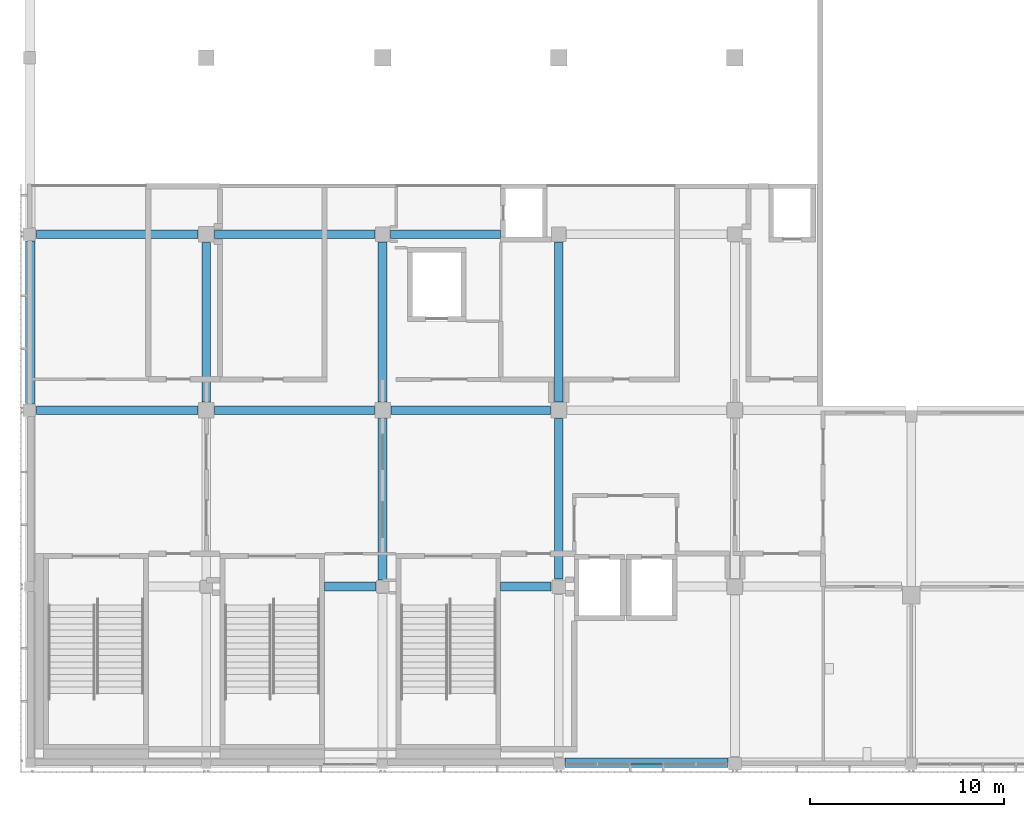
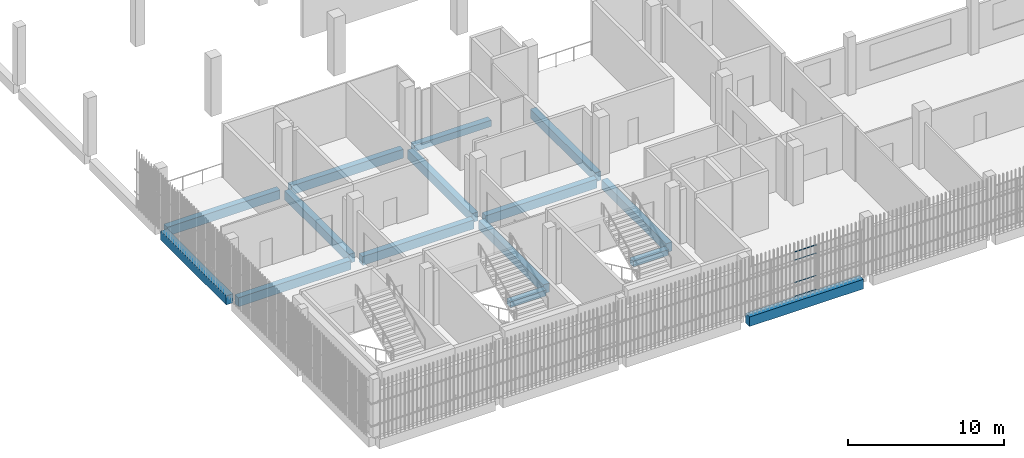
# One storey, part 6 of 104: 15 beams, 4 members, 1 element without a shape of its own.
"""IFC4 building model written with IfcOpenShell, lengths in metres."""

from ifc_helpers import new_model, si_unit, direction, frame, origin, origin_2d, place, context, subcontext, project, spatial, rectangle, hollow_rectangle, extrude, material, layer, layer_set, material_profile, profile_set, type_object, element, aggregate, save


model = new_model("IFC4")

# Units and contexts
model_context = context("Model", 3, precision=1e-05, world=origin(), true_north=direction((0.0, 1.0)))
body_context = subcontext(model_context, "Body", "Model", "MODEL_VIEW")
ifc_project = project(units=[si_unit("LENGTHUNIT", "METRE"), si_unit("AREAUNIT", "SQUARE_METRE"), si_unit("VOLUMEUNIT", "CUBIC_METRE"), si_unit("PLANEANGLEUNIT", "RADIAN"), si_unit("MASSUNIT", "GRAM", prefix="KILO")], contexts=[model_context])

# Site, building, storey
site_placement = place(None, origin())
site = spatial("IfcSite", under=ifc_project, at=site_placement, CompositionType="ELEMENT")
building_placement = place(site_placement, origin())
building = spatial("IfcBuilding", under=site, at=building_placement, Name="Shirokan Park Arena", CompositionType="ELEMENT")
storey_placement = place(building_placement, frame((0.0, 0.0, 10.919921875)))
storey = spatial("IfcBuildingStorey", under=building, at=storey_placement, Name="L02", CompositionType="ELEMENT", Elevation=10.919921875)

# Beams
ifc_material_1 = material(Name="Concrete C35", Category="concrete")
ifc_material_profile_1 = material_profile(ifc_material_1, rectangle(XDim=0.449951171875, YDim=0.5, at=origin_2d()), Name="450x500")
ifc_profile_set_1 = profile_set([ifc_material_profile_1], Name="Concrete C35")
beam_type_1 = type_object("IfcBeamType", Name="RC girder 450x500", PredefinedType="BEAM", material=ifc_profile_set_1)
beam_1_placement = place(storey_placement, frame((18.60009765625, 27.300048828125, -0.5498046875), z_axis=(1.0, 0.0, 0.0), x_axis=(0.0, 1.0, 0.0)))
element("IfcBeam", 1, at=beam_1_placement, inside=storey, type_object=beam_type_1, Name="Girder 3D-4D L02", PredefinedType="BEAM", context=body_context, shape_type="SweptSolid", body=[
    extrude(rectangle(XDim=0.449951171875, YDim=0.5, at=origin_2d()), origin(), (0.0, 0.0, 1.0), 5.699951171875),
])
ifc_material_profile_2 = material_profile(ifc_material_1, rectangle(XDim=0.449951171875, YDim=0.699951171875, at=origin_2d()), Name="450x700")
ifc_profile_set_2 = profile_set([ifc_material_profile_2], Name="Concrete C35")
beam_type_2 = type_object("IfcBeamType", Name="RC girder 450x700", PredefinedType="BEAM", material=ifc_profile_set_2)
for number, where, z_axis, x_axis, name in (
    (2, (0.3251953125, 18.199951171875, -0.64990234375), (1.0, 0.0, 0.0), (0.0, 1.0, 0.0), "Girder 1C-2C L02"),
    (3, (0.3251953125, 27.300048828125, -0.64990234375), (1.0, 0.0, 0.0), (0.0, 1.0, 0.0), "Girder 1D-2D L02"),
):
    element("IfcBeam", number, at=place(storey_placement, frame(where, z_axis=z_axis, x_axis=x_axis)), inside=storey, type_object=beam_type_2, Name=name, PredefinedType="BEAM", context=body_context, shape_type="SweptSolid", body=[
        extrude(rectangle(XDim=0.449951171875, YDim=0.699951171875, at=origin_2d()), origin(), (0.0, 0.0, 1.0), 8.349609375),
    ])
beam_2_placement = place(storey_placement, frame((9.525146484375, 18.199951171875, -0.64990234375), z_axis=(1.0, 0.0, 0.0), x_axis=(0.0, 1.0, 0.0)))
element("IfcBeam", 4, at=beam_2_placement, inside=storey, type_object=beam_type_2, Name="Girder 2C-3C L02", PredefinedType="BEAM", context=body_context, shape_type="SweptSolid", body=[
    extrude(rectangle(XDim=0.449951171875, YDim=0.699951171875, at=origin_2d()), origin(), (0.0, 0.0, 1.0), 8.249755859375),
])
beam_3_placement = place(storey_placement, frame((9.525146484375, 27.300048828125, -0.64990234375), z_axis=(1.0, 0.0, 0.0), x_axis=(0.0, 1.0, 0.0)))
element("IfcBeam", 5, at=beam_3_placement, inside=storey, type_object=beam_type_2, Name="Girder 2D-3D L02", PredefinedType="BEAM", context=body_context, shape_type="SweptSolid", body=[
    extrude(rectangle(XDim=0.449951171875, YDim=0.699951171875, at=origin_2d()), origin(), (0.0, 0.0, 1.0), 8.274658203125),
])
for number, where, z_axis, x_axis, name in (
    (6, (18.625, 18.199951171875, -0.64990234375), (1.0, 0.0, 0.0), (0.0, 1.0, 0.0), "Girder 3C-4C L02"),
    (7, (9.10009765625, 18.625, -0.64990234375), (0.0, 1.0, 0.0), (-1.0, 0.0, 0.0), "Girder 2C-2D L02"),
):
    element("IfcBeam", number, at=place(storey_placement, frame(where, z_axis=z_axis, x_axis=x_axis)), inside=storey, type_object=beam_type_2, Name=name, PredefinedType="BEAM", context=body_context, shape_type="SweptSolid", body=[
        extrude(rectangle(XDim=0.449951171875, YDim=0.699951171875, at=origin_2d()), origin(), (0.0, 0.0, 1.0), 8.25),
    ])
beam_4_placement = place(storey_placement, frame((18.199951171875, 9.4501953125, -0.64990234375), z_axis=(0.0, 1.0, 0.0), x_axis=(-1.0, 0.0, 0.0)))
element("IfcBeam", 8, at=beam_4_placement, inside=storey, type_object=beam_type_2, Name="Girder 3B-3C L02", PredefinedType="BEAM", context=body_context, shape_type="SweptSolid", body=[
    extrude(rectangle(XDim=0.449951171875, YDim=0.699951171875, at=origin_2d()), origin(), (0.0, 0.0, 1.0), 8.32470703125),
])
for number, where, z_axis, x_axis, name in (
    (9, (18.199951171875, 18.625, -0.64990234375), (0.0, 1.0, 0.0), (-1.0, 0.0, 0.0), "Girder 3C-3D L02"),
    (10, (27.300048828125, 9.5, -0.64990234375), (0.0, 1.0, 0.0), (-1.0, 0.0, 0.0), "Girder 4B-4C L02"),
    (11, (27.300048828125, 18.625, -0.64990234375), (0.0, 1.0, 0.0), (-1.0, 0.0, 0.0), "Girder 4C-4D L02"),
):
    element("IfcBeam", number, at=place(storey_placement, frame(where, z_axis=z_axis, x_axis=x_axis)), inside=storey, type_object=beam_type_2, Name=name, PredefinedType="BEAM", context=body_context, shape_type="SweptSolid", body=[
        extrude(rectangle(XDim=0.449951171875, YDim=0.699951171875, at=origin_2d()), origin(), (0.0, 0.0, 1.0), 8.27490234375),
    ])
ifc_material_profile_3 = material_profile(ifc_material_1, rectangle(XDim=0.5, YDim=0.699951171875, at=origin_2d()), Name="500x700")
ifc_profile_set_3 = profile_set([ifc_material_profile_3], Name="Concrete C35")
beam_type_3 = type_object("IfcBeamType", Name="RC girder 500x700", PredefinedType="BEAM", material=ifc_profile_set_3)
beam_5_placement = place(storey_placement, frame((0.0, 18.550048828125, -0.64990234375), z_axis=(0.0, 1.0, 0.0), x_axis=(-1.0, 0.0, 0.0)))
element("IfcBeam", 12, at=beam_5_placement, inside=storey, type_object=beam_type_3, Name="Girder 1C-1D L02", PredefinedType="BEAM", context=body_context, shape_type="SweptSolid", body=[
    extrude(rectangle(XDim=0.5, YDim=0.699951171875, at=origin_2d()), origin(), (0.0, 0.0, 1.0), 8.39990234375),
])
ifc_material_profile_4 = material_profile(ifc_material_1, rectangle(XDim=0.5, YDim=0.75, at=origin_2d()), Name="500x750")
ifc_profile_set_4 = profile_set([ifc_material_profile_4], Name="Concrete C35")
beam_type_4 = type_object("IfcBeamType", Name="RC girder 500x750", PredefinedType="BEAM", material=ifc_profile_set_4)
beam_6_placement = place(storey_placement, frame((27.625, 0.0, -0.6748046875), z_axis=(1.0, 0.0, 0.0), x_axis=(0.0, 1.0, 0.0)))
element("IfcBeam", 13, at=beam_6_placement, inside=storey, type_object=beam_type_4, Name="Girder 4A-5A L02", PredefinedType="BEAM", context=body_context, shape_type="SweptSolid", body=[
    extrude(rectangle(XDim=0.5, YDim=0.75, at=origin_2d()), origin(), (0.0, 0.0, 1.0), 8.4248046875),
])
ifc_material_profile_5 = material_profile(ifc_material_1, rectangle(XDim=0.449951171875, YDim=0.449951171875, at=origin_2d()), Name="450x450")
ifc_profile_set_5 = profile_set([ifc_material_profile_5], Name="Concrete C35")
beam_type_5 = type_object("IfcBeamType", Name="RC trimmer 450x450", PredefinedType="BEAM", material=ifc_profile_set_5)
beam_7_placement = place(storey_placement, frame((15.199951171875, 9.10009765625, -0.52490234375), z_axis=(1.0, 0.0, 0.0), x_axis=(0.0, 1.0, 0.0)))
element("IfcBeam", 14, at=beam_7_placement, inside=storey, type_object=beam_type_5, Name="Girder 2B-3B L02", PredefinedType="BEAM", context=body_context, shape_type="SweptSolid", body=[
    extrude(rectangle(XDim=0.449951171875, YDim=0.449951171875, at=origin_2d()), origin(), (0.0, 0.0, 1.0), 2.64990234375),
])
beam_8_placement = place(storey_placement, frame((24.300048828125, 9.10009765625, -0.52490234375), z_axis=(1.0, 0.0, 0.0), x_axis=(0.0, 1.0, 0.0)))
element("IfcBeam", 15, at=beam_8_placement, inside=storey, type_object=beam_type_5, Name="Girder 3B-4B L02", PredefinedType="BEAM", context=body_context, shape_type="SweptSolid", body=[
    extrude(rectangle(XDim=0.449951171875, YDim=0.449951171875, at=origin_2d()), origin(), (0.0, 0.0, 1.0), 2.599853515625),
])

# Curtain wall, members
ifc_material_2 = material(Name="Steel and glass curtain wall", Category="steel")
ifc_layer = layer(ifc_material_2, 0.14990234375)
ifc_layer_set = layer_set([ifc_layer], Name="Steel and glass curtain wall 150 mm")
curtain_wall_type = type_object("IfcCurtainWallType", Name="Curtain wall exposed bay 150", PredefinedType="NOTDEFINED", material=ifc_layer_set)
curtain_wall_placement = place(storey_placement, origin())
curtain_wall = element("IfcCurtainWall", 16, at=curtain_wall_placement, inside=storey, type_object=curtain_wall_type, Name="Curtain wall south bay 4 L02", PredefinedType="NOTDEFINED")
ifc_material_3 = material(Name="Steel S355", Category="steel")
ifc_material_profile_6 = material_profile(ifc_material_3, hollow_rectangle(XDim=0.06005859375, YDim=0.0400390625, WallThickness=0.00390625, at=origin_2d()), Name="RHS 60x40x4")
ifc_profile_set_6 = profile_set([ifc_material_profile_6], Name="Steel S355")
member_type = type_object("IfcMemberType", Name="Transom RHS 60x40x4", PredefinedType="MULLION", material=ifc_profile_set_6)
member_1_placement = place(storey_placement, frame((31.014892578125, -0.074951171875, 0.02001953125), z_axis=(1.0, 0.0, 0.0), x_axis=(0.0, 1.0, 0.0)))
member_1 = element("IfcMember", 17, at=member_1_placement, type_object=member_type, Name="CW1 transom 3.1", PredefinedType="MULLION", context=body_context, shape_type="SweptSolid", body=[
    extrude(hollow_rectangle(XDim=0.06005859375, YDim=0.0400390625, WallThickness=0.00390625, at=origin_2d()), origin(), (0.0, 0.0, 1.0), 1.64501953125),
])
member_2_placement = place(storey_placement, frame((31.014892578125, -0.074951171875, 1.10009765625), z_axis=(1.0, 0.0, 0.0), x_axis=(0.0, 1.0, 0.0)))
member_2 = element("IfcMember", 18, at=member_2_placement, type_object=member_type, Name="CW1 transom 3.2", PredefinedType="MULLION", context=body_context, shape_type="SweptSolid", body=[
    extrude(hollow_rectangle(XDim=0.06005859375, YDim=0.0400390625, WallThickness=0.00390625, at=origin_2d()), origin(), (0.0, 0.0, 1.0), 1.64501953125),
])
member_3_placement = place(storey_placement, frame((31.014892578125, -0.074951171875, 2.85009765625), z_axis=(1.0, 0.0, 0.0), x_axis=(0.0, 1.0, 0.0)))
member_3 = element("IfcMember", 19, at=member_3_placement, type_object=member_type, Name="CW1 transom 3.3", PredefinedType="MULLION", context=body_context, shape_type="SweptSolid", body=[
    extrude(hollow_rectangle(XDim=0.06005859375, YDim=0.0400390625, WallThickness=0.00390625, at=origin_2d()), origin(), (0.0, 0.0, 1.0), 1.64501953125),
])
member_4_placement = place(storey_placement, frame((31.014892578125, -0.074951171875, 3.47998046875), z_axis=(1.0, 0.0, 0.0), x_axis=(0.0, 1.0, 0.0)))
member_4 = element("IfcMember", 20, at=member_4_placement, type_object=member_type, Name="CW1 transom 3.4", PredefinedType="MULLION", context=body_context, shape_type="SweptSolid", body=[
    extrude(hollow_rectangle(XDim=0.06005859375, YDim=0.0400390625, WallThickness=0.00390625, at=origin_2d()), origin(), (0.0, 0.0, 1.0), 1.64501953125),
])
aggregate(curtain_wall, [member_1, member_2, member_3, member_4])

save(model, "model.ifc")
